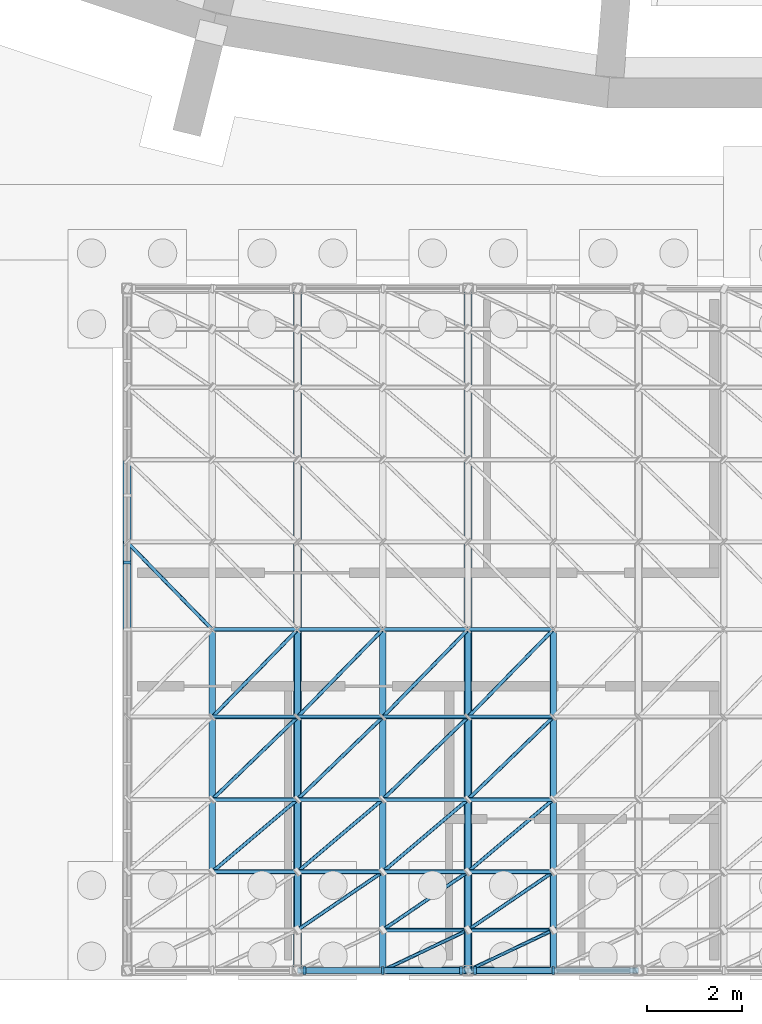
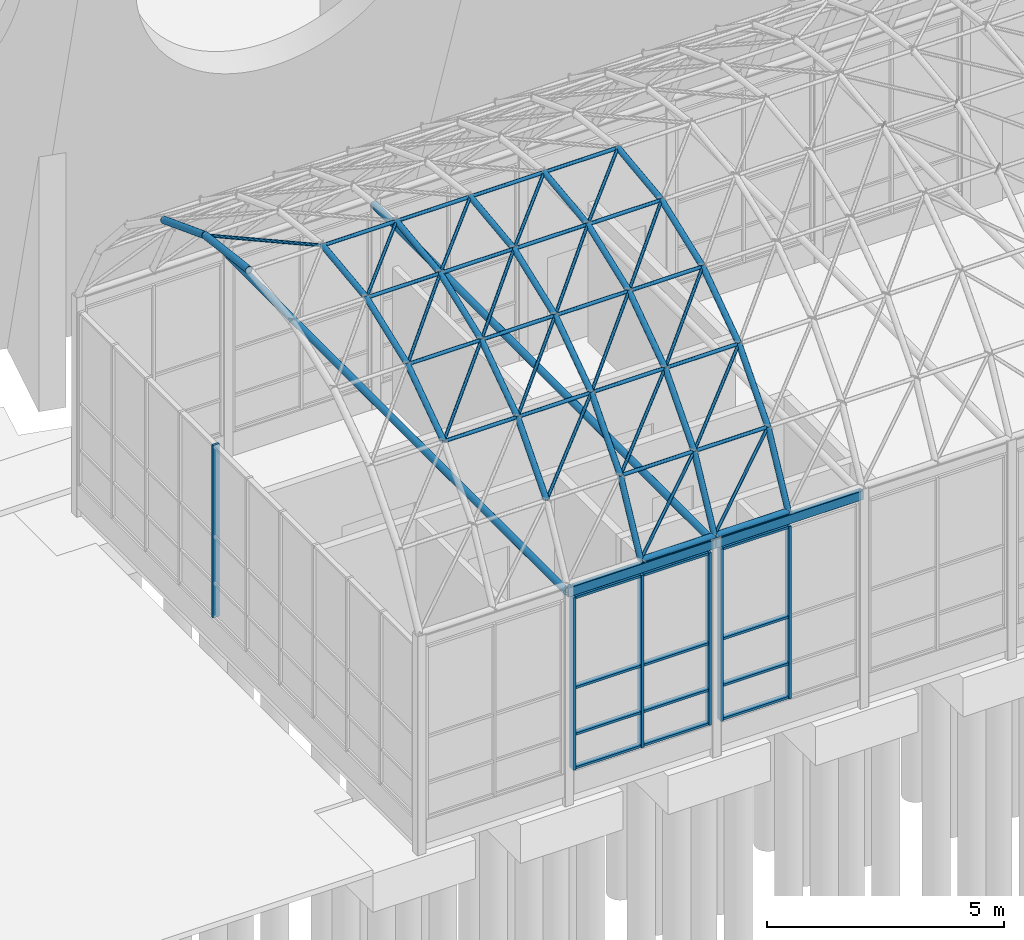
# One storey, part 25 of 116: 82 members, 2 beams, 3 elements without a shape of their own.
"""IFC4 building model written with IfcOpenShell, lengths in metres."""

import ifcopenshell
import ifcopenshell.guid

model = None  # the IFC model being written
_history = None  # IfcOwnerHistory: only IFC2X3 demands one
_inside = {}  # id of a spatial element -> (the spatial element, [elements in it])
_under = {}  # id of a project, library or spatial element -> (it, [spatial elements below it])
_declared = {}  # id of a project -> (the project, [libraries it declares])
_typed = {}  # id of a type object -> (the type object, [elements of that type])
_made_of = {}  # id of a material, layer set ... -> (it, [elements and type objects made of it])


def new_model(schema):
    """Start an empty IFC model of exactly this schema.

    Asked for "IFC4X3", IfcOpenShell would pick the latest addendum, in which some entities
    have other attributes; the version numbers below select the first issue.
    IFC2X3 requires an IfcOwnerHistory on every rooted entity: one is made here for all.
    """
    global model, _history
    if schema == "IFC4X3":
        model = ifcopenshell.file(schema_version=(4, 3, 0, 0))
    else:
        model = ifcopenshell.file(schema=schema)
    _inside.clear()
    _under.clear()
    _declared.clear()
    _typed.clear()
    _made_of.clear()
    _history = None
    if model.schema == "IFC2X3":
        org = make("IfcOrganization", Name="unknown")
        user = make(
            "IfcPersonAndOrganization",
            ThePerson=make("IfcPerson", FamilyName="unknown"),
            TheOrganization=org,
        )
        app = make(
            "IfcApplication",
            ApplicationDeveloper=org,
            Version="unknown",
            ApplicationFullName="unknown",
            ApplicationIdentifier="unknown",
        )
        _history = make(
            "IfcOwnerHistory",
            OwningUser=user,
            OwningApplication=app,
            ChangeAction="ADDED",
            CreationDate=0,
        )
    return model


def make(cls, **values):
    """One entity of the class cls with the attributes given. An attribute that is None is left unset."""
    return model.create_entity(
        cls, **{name: value for name, value in values.items() if value is not None}
    )


def rooted(cls, **values):
    """An entity with a GlobalId (a new one), such as an element, a storey or a relation."""
    return make(cls, GlobalId=ifcopenshell.guid.new(), OwnerHistory=_history, **values)


def si_unit(unit_type, name, prefix=None):
    """IfcSIUnit, for example si_unit("LENGTHUNIT", "METRE", prefix="MILLI")."""
    return make("IfcSIUnit", UnitType=unit_type, Prefix=prefix, Name=name)


def assignment(units):
    """IfcUnitAssignment: the units of a project."""
    return None if units is None else make("IfcUnitAssignment", Units=units)


def point(xyz):
    """IfcCartesianPoint."""
    return None if xyz is None else make("IfcCartesianPoint", Coordinates=xyz)


def direction(xyz):
    """IfcDirection."""
    return None if xyz is None else make("IfcDirection", DirectionRatios=xyz)


def frame(location, z_axis=None, x_axis=None):
    """IfcAxis2Placement3D, a coordinate frame: its origin and axes. An axis left out is left unset."""
    return make(
        "IfcAxis2Placement3D",
        Location=point(location),
        Axis=direction(z_axis),
        RefDirection=direction(x_axis),
    )


def frame_2d(location, x_axis=None):
    """IfcAxis2Placement2D, a coordinate frame in the plane: its origin and x axis."""
    return make(
        "IfcAxis2Placement2D", Location=point(location), RefDirection=direction(x_axis)
    )


def origin():
    """The frame at (0, 0, 0) with its axes left unset."""
    return frame((0.0, 0.0, 0.0))


def origin_2d():
    """The frame at (0, 0) in the plane with its x axis left unset."""
    return frame_2d((0.0, 0.0))


def place(relative_to, where):
    """IfcLocalPlacement: puts the frame where relative to a parent placement (None: the world)."""
    return make(
        "IfcLocalPlacement", PlacementRelTo=relative_to, RelativePlacement=where
    )


def context(
    kind, dimensions, precision=None, world=None, true_north=None, identifier=None
):
    """IfcGeometricRepresentationContext, for example the 3D "Model" context."""
    return make(
        "IfcGeometricRepresentationContext",
        ContextIdentifier=identifier,
        ContextType=kind,
        CoordinateSpaceDimension=dimensions,
        Precision=precision,
        WorldCoordinateSystem=world,
        TrueNorth=true_north,
    )


def subcontext(parent, identifier, kind, view, scale=None):
    """IfcGeometricRepresentationSubContext, for example "Body" below "Model"."""
    return make(
        "IfcGeometricRepresentationSubContext",
        ContextIdentifier=identifier,
        ContextType=kind,
        ParentContext=parent,
        TargetScale=scale,
        TargetView=view,
    )


def project(units=None, contexts=None):
    """IfcProject with its units and contexts."""
    return rooted(
        "IfcProject",
        Name="project",
        RepresentationContexts=contexts,
        UnitsInContext=assignment(units),
    )


def spatial(cls, under=None, at=None, **own):
    """A site, building, storey or space (cls), placed at a placement, below another one or the project."""
    s = rooted(cls, ObjectPlacement=at, **own)
    if under is not None:
        _under.setdefault(under.id(), (under, []))[1].append(s)
    return s


def profile(cls, at=None, kind="AREA", **sizes):
    """A parametric profile (cls). Its sizes go by their IFC names, for example OverallWidth=200.0."""
    return make(cls, ProfileType=kind, Position=at, **sizes)


def rectangle(**sizes):
    """IfcRectangleProfileDef."""
    return profile("IfcRectangleProfileDef", **sizes)


def hollow_rectangle(**sizes):
    """IfcRectangleHollowProfileDef."""
    return profile("IfcRectangleHollowProfileDef", **sizes)


def hollow_circle(**sizes):
    """IfcCircleHollowProfileDef."""
    return profile("IfcCircleHollowProfileDef", **sizes)


def extrude(swept, where, along, depth):
    """IfcExtrudedAreaSolid: the profile swept, set in the frame where, extruded along a direction by depth."""
    return make(
        "IfcExtrudedAreaSolid",
        SweptArea=swept,
        Position=where,
        ExtrudedDirection=direction(along),
        Depth=depth,
    )


def shape(context_of_items, identifier, shape_type, items):
    """IfcShapeRepresentation: the items that make up one representation, for example the "Body"."""
    return make(
        "IfcShapeRepresentation",
        ContextOfItems=context_of_items,
        RepresentationIdentifier=identifier,
        RepresentationType=shape_type,
        Items=items,
    )


def material(Name=None, Category=None):
    """IfcMaterial."""
    return make("IfcMaterial", Name=Name, Category=Category)


def layer(
    of_material, thickness, ventilated=None, Name=None, Category=None, Priority=None
):
    """IfcMaterialLayer: one layer of a wall or slab, of a material (None: an air gap)."""
    return make(
        "IfcMaterialLayer",
        Material=of_material,
        LayerThickness=thickness,
        IsVentilated=ventilated,
        Name=Name,
        Category=Category,
        Priority=Priority,
    )


def layer_set(layers, Name=None):
    """IfcMaterialLayerSet."""
    return make("IfcMaterialLayerSet", MaterialLayers=layers, LayerSetName=Name)


def material_profile(
    of_material, cross_section, Name=None, Category=None, Priority=None
):
    """IfcMaterialProfile: a cross section and its material."""
    return make(
        "IfcMaterialProfile",
        Name=Name,
        Material=of_material,
        Profile=cross_section,
        Priority=Priority,
        Category=Category,
    )


def profile_set(profiles, Name=None, composite=None):
    """IfcMaterialProfileSet."""
    return make(
        "IfcMaterialProfileSet",
        Name=Name,
        MaterialProfiles=profiles,
        CompositeProfile=composite,
    )


def made_of(thing, what):
    """Note that an element or type object is made of a material, layer set ...; save() writes the relation."""
    if what is not None:
        _made_of.setdefault(what.id(), (what, []))[1].append(thing)
    return thing


def type_object(cls, material=None, **own):
    """A type object (cls), such as IfcWallType, which elements share."""
    return made_of(rooted(cls, **own), material)


def element(
    cls,
    number,
    at=None,
    inside=None,
    cuts=None,
    type_object=None,
    material=None,
    context=None,
    identifier="Body",
    shape_type=None,
    held_by="IfcProductDefinitionShape",
    body=None,
    shapes=None,
    **own,
):
    """One element of the class cls, such as IfcWall. Its Tag is "e" and its number.

    at: its placement. inside: the storey or other place that contains it. cuts: it is an
    opening in that element (IfcRelVoidsElement). A single representation is given by context,
    identifier, shape_type and body (its items); several are given by shapes. held_by: the class
    of the entity that holds the representations. save() writes the other relations.
    """
    e = rooted(cls, Tag="e%d" % number, ObjectPlacement=at, **own)
    if body is not None:
        shapes = [shape(context, identifier, shape_type, body)]
    if shapes is not None:
        e.Representation = make(held_by, Representations=shapes)
    if inside is not None:
        _inside.setdefault(inside.id(), (inside, []))[1].append(e)
    if cuts is not None:
        rooted(
            "IfcRelVoidsElement", RelatingBuildingElement=cuts, RelatedOpeningElement=e
        )
    if type_object is not None:
        _typed.setdefault(type_object.id(), (type_object, []))[1].append(e)
    return made_of(e, material)


def aggregate(whole, parts):
    """IfcRelAggregates: a whole, such as a stair, and the parts it consists of."""
    return rooted("IfcRelAggregates", RelatingObject=whole, RelatedObjects=parts)


def save(model, path):
    """Write the relations noted so far, then the file.

    IfcRelAggregates (storeys below a building ...), IfcRelContainedInSpatialStructure (elements
    in a storey), IfcRelDefinesByType, IfcRelAssociatesMaterial and IfcRelDeclares: one each for
    every whole, place, type object, material and project.
    """
    for whole, parts in _under.values():
        aggregate(whole, parts)
    for where, things in _inside.values():
        rooted(
            "IfcRelContainedInSpatialStructure",
            RelatedElements=things,
            RelatingStructure=where,
        )
    for kind, things in _typed.values():
        rooted("IfcRelDefinesByType", RelatedObjects=things, RelatingType=kind)
    for what, things in _made_of.values():
        rooted("IfcRelAssociatesMaterial", RelatedObjects=things, RelatingMaterial=what)
    for by, libraries in _declared.values():
        rooted("IfcRelDeclares", RelatingContext=by, RelatedDefinitions=libraries)
    model.write(path)


model = new_model("IFC4")

# Units and contexts
model_context = context("Model", 3, precision=1e-05, world=origin(), true_north=direction((0.0, 1.0)))
body_context = subcontext(model_context, "Body", "Model", "MODEL_VIEW")
ifc_project = project(units=[si_unit("LENGTHUNIT", "METRE"), si_unit("AREAUNIT", "SQUARE_METRE"), si_unit("VOLUMEUNIT", "CUBIC_METRE"), si_unit("PLANEANGLEUNIT", "RADIAN"), si_unit("MASSUNIT", "GRAM", prefix="KILO")], contexts=[model_context])

# Site, building, storey
site_placement = place(None, origin())
site = spatial("IfcSite", under=ifc_project, at=site_placement, CompositionType="ELEMENT")
building_placement = place(site_placement, origin())
building = spatial("IfcBuilding", under=site, at=building_placement, Name="Ardhachandra Cancer Care Centre", CompositionType="ELEMENT")
storey_placement = place(building_placement, origin())
storey = spatial("IfcBuildingStorey", under=building, at=storey_placement, Name="L00", CompositionType="ELEMENT", Elevation=0.0)

# Beams
ifc_material_1 = material(Name="Steel E350 (IS 2062)", Category="steel")
ifc_material_profile_1 = material_profile(ifc_material_1, hollow_rectangle(XDim=0.1201171875, YDim=0.239990234375, WallThickness=0.006103515625, InnerFilletRadius=0.006103515625, OuterFilletRadius=0.011962890625, at=origin_2d()), Name="RHS 240x120x6.0")
ifc_profile_set_1 = profile_set([ifc_material_profile_1], Name="Steel E350 (IS 2062)")
beam_type = type_object("IfcBeamType", Name="Beam RHS 240x120x6.0", PredefinedType="BEAM", material=ifc_profile_set_1)
beam_1_placement = place(storey_placement, frame((67.199951171875, 7.199951171875, 5.210205078125), z_axis=(1.0, 0.0, 0.0), x_axis=(0.0, 1.0, 0.0)))
element("IfcBeam", 1, at=beam_1_placement, inside=storey, type_object=beam_type, Name="Pavilion edge beam S2-3", PredefinedType="BEAM", context=body_context, shape_type="SweptSolid", body=[
    extrude(hollow_rectangle(XDim=0.1201171875, YDim=0.239990234375, WallThickness=0.006103515625, InnerFilletRadius=0.006103515625, OuterFilletRadius=0.011962890625, at=origin_2d()), origin(), (0.0, 0.0, 1.0), 3.60009765625),
])
beam_2_placement = place(storey_placement, frame((70.800048828125, 7.199951171875, 5.210205078125), z_axis=(1.0, 0.0, 0.0), x_axis=(0.0, 1.0, 0.0)))
element("IfcBeam", 2, at=beam_2_placement, inside=storey, type_object=beam_type, Name="Pavilion edge beam S3-4", PredefinedType="BEAM", context=body_context, shape_type="SweptSolid", body=[
    extrude(hollow_rectangle(XDim=0.1201171875, YDim=0.239990234375, WallThickness=0.006103515625, InnerFilletRadius=0.006103515625, OuterFilletRadius=0.011962890625, at=origin_2d()), origin(), (0.0, 0.0, 1.0), 3.599853515625),
])

# Curtain wall, members
ifc_material_2 = material(Name="Aluminium extrusion", Category="aluminium")
ifc_layer = layer(ifc_material_2, 0.14990234375)
ifc_layer_set = layer_set([ifc_layer], Name="Aluminium extrusion")
curtain_wall_type = type_object("IfcCurtainWallType", Name="Curtain wall run", PredefinedType="NOTDEFINED", material=ifc_layer_set)
curtain_wall_1_placement = place(storey_placement, origin())
curtain_wall_1 = element("IfcCurtainWall", 3, at=curtain_wall_1_placement, inside=storey, type_object=curtain_wall_type, Name="Curtain wall L00 s/0067200_0007200", PredefinedType="NOTDEFINED")
ifc_material_3 = material(Name="Aluminium extrusion", Category="aluminium")
ifc_material_profile_2 = material_profile(ifc_material_3, rectangle(XDim=0.159912109375, YDim=0.06005859375, at=origin_2d()), Name="Curtain wall mullion 60 x 160")
ifc_profile_set_2 = profile_set([ifc_material_profile_2], Name="Aluminium extrusion")
member_type_1 = type_object("IfcMemberType", Name="Curtain wall mullion 60 x 160", PredefinedType="MULLION", material=ifc_profile_set_2)
member_1_placement = place(storey_placement, frame((67.344970703125, 7.199951171875, 0.60009765625), z_axis=(0.0, 0.0, 1.0), x_axis=(0.0, 1.0, 0.0)))
member_1 = element("IfcMember", 4, at=member_1_placement, type_object=member_type_1, Name="CW mullion 1", PredefinedType="MULLION", context=body_context, shape_type="SweptSolid", body=[
    extrude(rectangle(XDim=0.159912109375, YDim=0.06005859375, at=origin_2d()), origin(), (0.0, 0.0, 1.0), 4.449951171875),
])
member_2_placement = place(storey_placement, frame((69.0, 7.199951171875, 0.60009765625), z_axis=(0.0, 0.0, 1.0), x_axis=(0.0, 1.0, 0.0)))
member_2 = element("IfcMember", 5, at=member_2_placement, type_object=member_type_1, Name="CW mullion 2", PredefinedType="MULLION", context=body_context, shape_type="SweptSolid", body=[
    extrude(rectangle(XDim=0.159912109375, YDim=0.06005859375, at=origin_2d()), origin(), (0.0, 0.0, 1.0), 4.449951171875),
])
member_3_placement = place(storey_placement, frame((70.655029296875, 7.199951171875, 0.60009765625), z_axis=(0.0, 0.0, 1.0), x_axis=(0.0, 1.0, 0.0)))
member_3 = element("IfcMember", 6, at=member_3_placement, type_object=member_type_1, Name="CW mullion 3", PredefinedType="MULLION", context=body_context, shape_type="SweptSolid", body=[
    extrude(rectangle(XDim=0.159912109375, YDim=0.06005859375, at=origin_2d()), origin(), (0.0, 0.0, 1.0), 4.449951171875),
])

curtain_wall_2_placement = place(storey_placement, origin())
curtain_wall_2 = element("IfcCurtainWall", 7, at=curtain_wall_2_placement, inside=storey, type_object=curtain_wall_type, Name="Curtain wall L00 s/0070800_0007200", PredefinedType="NOTDEFINED")
member_4_placement = place(storey_placement, frame((70.945068359375, 7.199951171875, 0.60009765625), z_axis=(0.0, 0.0, 1.0), x_axis=(0.0, 1.0, 0.0)))
member_4 = element("IfcMember", 8, at=member_4_placement, type_object=member_type_1, Name="CW mullion 1", PredefinedType="MULLION", context=body_context, shape_type="SweptSolid", body=[
    extrude(rectangle(XDim=0.159912109375, YDim=0.06005859375, at=origin_2d()), origin(), (0.0, 0.0, 1.0), 4.449951171875),
])
member_5_placement = place(storey_placement, frame((72.60009765625, 7.199951171875, 0.60009765625), z_axis=(0.0, 0.0, 1.0), x_axis=(0.0, 1.0, 0.0)))
member_5 = element("IfcMember", 9, at=member_5_placement, type_object=member_type_1, Name="CW mullion 2", PredefinedType="MULLION", context=body_context, shape_type="SweptSolid", body=[
    extrude(rectangle(XDim=0.159912109375, YDim=0.06005859375, at=origin_2d()), origin(), (0.0, 0.0, 1.0), 4.449951171875),
])

# Curtain wall, member
curtain_wall_3_placement = place(storey_placement, origin())
curtain_wall_3 = element("IfcCurtainWall", 10, at=curtain_wall_3_placement, inside=storey, type_object=curtain_wall_type, Name="Curtain wall L00 w/0063600_0007200", PredefinedType="NOTDEFINED")
member_6_placement = place(storey_placement, frame((63.60009765625, 15.81689453125, 0.60009765625), z_axis=(0.0, 0.0, 1.0), x_axis=(-1.0, 0.0, 0.0)))
member_6 = element("IfcMember", 11, at=member_6_placement, type_object=member_type_1, Name="CW mullion 7", PredefinedType="MULLION", context=body_context, shape_type="SweptSolid", body=[
    extrude(rectangle(XDim=0.159912109375, YDim=0.06005859375, at=origin_2d()), origin(), (0.0, 0.0, 1.0), 4.449951171875),
])
aggregate(curtain_wall_3, [member_6])

# Member
ifc_material_4 = material(Name="Aluminium extrusion", Category="aluminium")
ifc_material_profile_3 = material_profile(ifc_material_4, rectangle(XDim=0.1201171875, YDim=0.06005859375, at=origin_2d()), Name="Curtain wall transom 60 x 120")
ifc_profile_set_3 = profile_set([ifc_material_profile_3], Name="Aluminium extrusion")
member_type_2 = type_object("IfcMemberType", Name="Curtain wall transom 60 x 120", PredefinedType="USERDEFINED", material=ifc_profile_set_3)
member_7_placement = place(storey_placement, frame((67.375, 7.199951171875, 0.6298828125), z_axis=(1.0, 0.0, 0.0), x_axis=(0.0, 1.0, 0.0)))
member_7 = element("IfcMember", 12, at=member_7_placement, type_object=member_type_2, Name="CW transom 1.1", ObjectType="TRANSOM", PredefinedType="USERDEFINED", context=body_context, shape_type="SweptSolid", body=[
    extrude(rectangle(XDim=0.1201171875, YDim=0.06005859375, at=origin_2d()), origin(), (0.0, 0.0, 1.0), 1.594970703125),
])

member_8_placement = place(storey_placement, frame((67.375, 7.199951171875, 1.5), z_axis=(1.0, 0.0, 0.0), x_axis=(0.0, 1.0, 0.0)))
member_8 = element("IfcMember", 13, at=member_8_placement, type_object=member_type_2, Name="CW transom 1.2", ObjectType="TRANSOM", PredefinedType="USERDEFINED", context=body_context, shape_type="SweptSolid", body=[
    extrude(rectangle(XDim=0.1201171875, YDim=0.06005859375, at=origin_2d()), origin(), (0.0, 0.0, 1.0), 1.594970703125),
])

member_9_placement = place(storey_placement, frame((67.375, 7.199951171875, 2.699951171875), z_axis=(1.0, 0.0, 0.0), x_axis=(0.0, 1.0, 0.0)))
member_9 = element("IfcMember", 14, at=member_9_placement, type_object=member_type_2, Name="CW transom 1.3", ObjectType="TRANSOM", PredefinedType="USERDEFINED", context=body_context, shape_type="SweptSolid", body=[
    extrude(rectangle(XDim=0.1201171875, YDim=0.06005859375, at=origin_2d()), origin(), (0.0, 0.0, 1.0), 1.594970703125),
])

member_10_placement = place(storey_placement, frame((67.375, 7.199951171875, 5.02001953125), z_axis=(1.0, 0.0, 0.0), x_axis=(0.0, 1.0, 0.0)))
member_10 = element("IfcMember", 15, at=member_10_placement, type_object=member_type_2, Name="CW transom 1.4", ObjectType="TRANSOM", PredefinedType="USERDEFINED", context=body_context, shape_type="SweptSolid", body=[
    extrude(rectangle(XDim=0.1201171875, YDim=0.06005859375, at=origin_2d()), origin(), (0.0, 0.0, 1.0), 1.594970703125),
])

member_11_placement = place(storey_placement, frame((69.030029296875, 7.199951171875, 0.6298828125), z_axis=(1.0, 0.0, 0.0), x_axis=(0.0, 1.0, 0.0)))
member_11 = element("IfcMember", 16, at=member_11_placement, type_object=member_type_2, Name="CW transom 2.1", ObjectType="TRANSOM", PredefinedType="USERDEFINED", context=body_context, shape_type="SweptSolid", body=[
    extrude(rectangle(XDim=0.1201171875, YDim=0.06005859375, at=origin_2d()), origin(), (0.0, 0.0, 1.0), 1.594970703125),
])

member_12_placement = place(storey_placement, frame((69.030029296875, 7.199951171875, 1.5), z_axis=(1.0, 0.0, 0.0), x_axis=(0.0, 1.0, 0.0)))
member_12 = element("IfcMember", 17, at=member_12_placement, type_object=member_type_2, Name="CW transom 2.2", ObjectType="TRANSOM", PredefinedType="USERDEFINED", context=body_context, shape_type="SweptSolid", body=[
    extrude(rectangle(XDim=0.1201171875, YDim=0.06005859375, at=origin_2d()), origin(), (0.0, 0.0, 1.0), 1.594970703125),
])

member_13_placement = place(storey_placement, frame((69.030029296875, 7.199951171875, 2.699951171875), z_axis=(1.0, 0.0, 0.0), x_axis=(0.0, 1.0, 0.0)))
member_13 = element("IfcMember", 18, at=member_13_placement, type_object=member_type_2, Name="CW transom 2.3", ObjectType="TRANSOM", PredefinedType="USERDEFINED", context=body_context, shape_type="SweptSolid", body=[
    extrude(rectangle(XDim=0.1201171875, YDim=0.06005859375, at=origin_2d()), origin(), (0.0, 0.0, 1.0), 1.594970703125),
])

member_14_placement = place(storey_placement, frame((69.030029296875, 7.199951171875, 5.02001953125), z_axis=(1.0, 0.0, 0.0), x_axis=(0.0, 1.0, 0.0)))
member_14 = element("IfcMember", 19, at=member_14_placement, type_object=member_type_2, Name="CW transom 2.4", ObjectType="TRANSOM", PredefinedType="USERDEFINED", context=body_context, shape_type="SweptSolid", body=[
    extrude(rectangle(XDim=0.1201171875, YDim=0.06005859375, at=origin_2d()), origin(), (0.0, 0.0, 1.0), 1.594970703125),
])

aggregate(curtain_wall_1, [member_1, member_2, member_3, member_7, member_8, member_9, member_10, member_11, member_12, member_13, member_14])

member_15_placement = place(storey_placement, frame((70.97509765625, 7.199951171875, 0.6298828125), z_axis=(1.0, 0.0, 0.0), x_axis=(0.0, 1.0, 0.0)))
member_15 = element("IfcMember", 20, at=member_15_placement, type_object=member_type_2, Name="CW transom 1.1", ObjectType="TRANSOM", PredefinedType="USERDEFINED", context=body_context, shape_type="SweptSolid", body=[
    extrude(rectangle(XDim=0.1201171875, YDim=0.06005859375, at=origin_2d()), origin(), (0.0, 0.0, 1.0), 1.594970703125),
])

member_16_placement = place(storey_placement, frame((70.97509765625, 7.199951171875, 1.5), z_axis=(1.0, 0.0, 0.0), x_axis=(0.0, 1.0, 0.0)))
member_16 = element("IfcMember", 21, at=member_16_placement, type_object=member_type_2, Name="CW transom 1.2", ObjectType="TRANSOM", PredefinedType="USERDEFINED", context=body_context, shape_type="SweptSolid", body=[
    extrude(rectangle(XDim=0.1201171875, YDim=0.06005859375, at=origin_2d()), origin(), (0.0, 0.0, 1.0), 1.594970703125),
])

member_17_placement = place(storey_placement, frame((70.97509765625, 7.199951171875, 2.699951171875), z_axis=(1.0, 0.0, 0.0), x_axis=(0.0, 1.0, 0.0)))
member_17 = element("IfcMember", 22, at=member_17_placement, type_object=member_type_2, Name="CW transom 1.3", ObjectType="TRANSOM", PredefinedType="USERDEFINED", context=body_context, shape_type="SweptSolid", body=[
    extrude(rectangle(XDim=0.1201171875, YDim=0.06005859375, at=origin_2d()), origin(), (0.0, 0.0, 1.0), 1.594970703125),
])

member_18_placement = place(storey_placement, frame((70.97509765625, 7.199951171875, 5.02001953125), z_axis=(1.0, 0.0, 0.0), x_axis=(0.0, 1.0, 0.0)))
member_18 = element("IfcMember", 23, at=member_18_placement, type_object=member_type_2, Name="CW transom 1.4", ObjectType="TRANSOM", PredefinedType="USERDEFINED", context=body_context, shape_type="SweptSolid", body=[
    extrude(rectangle(XDim=0.1201171875, YDim=0.06005859375, at=origin_2d()), origin(), (0.0, 0.0, 1.0), 1.594970703125),
])

aggregate(curtain_wall_2, [member_4, member_5, member_15, member_16, member_17, member_18])

# Members
ifc_material_5 = material(Name="Steel E350 (IS 2062)", Category="steel")
ifc_material_profile_4 = material_profile(ifc_material_5, hollow_circle(Radius=0.0380859375, WallThickness=0.00390625, at=origin_2d()), Name="CHS 76.1x4.0")
ifc_profile_set_4 = profile_set([ifc_material_profile_4], Name="Steel E350 (IS 2062)")
member_type_3 = type_object("IfcMemberType", Name="Pavilion shell Diagonal CHS 76.1x4.0", PredefinedType="BRACE", material=ifc_profile_set_4)
member_19_placement = place(storey_placement, frame((65.39990234375, 14.39990234375, 10.39990234375), z_axis=(-0.695169214351, 0.713557439636, -0.087037599681), x_axis=(-0.716275686375, -0.697817412443, 0.0)))
element("IfcMember", 24, at=member_19_placement, inside=storey, type_object=member_type_3, Name="Pavilion shell diagonal 01-05", PredefinedType="BRACE", context=body_context, shape_type="SweptSolid", body=[
    extrude(hollow_circle(Radius=0.0380859375, WallThickness=0.00390625, at=origin_2d()), origin(), (0.0, 0.0, 1.0), 2.589111328125),
])
member_20_placement = place(storey_placement, frame((65.39990234375, 9.284912109375, 8.4501953125), z_axis=(0.695198374646, 0.590442455179, 0.409971861245), x_axis=(-0.647345290396, 0.762196874175, 0.0)))
element("IfcMember", 25, at=member_20_placement, inside=storey, type_object=member_type_3, Name="Pavilion shell diagonal 01-02", PredefinedType="BRACE", context=body_context, shape_type="SweptSolid", body=[
    extrude(hollow_circle(Radius=0.0380859375, WallThickness=0.00390625, at=origin_2d()), origin(), (0.0, 0.0, 1.0), 2.58935546875),
])
for number, where, z_axis, x_axis, name in (
    (26, (65.39990234375, 10.813720703125, 9.51171875), (0.69522740722, 0.671653983674, 0.25600737971), (-0.694808600346, 0.7191946947, 0.0), "Pavilion shell diagonal 01-03"),
    (27, (65.39990234375, 12.552734375, 10.174560546875), (0.695264712339, 0.713464371837, 0.087037749829), (-0.716182273472, 0.697913283413, 0.0), "Pavilion shell diagonal 01-04"),
    (28, (67.199951171875, 8.056396484375, 7.05224609375), (0.695228192268, 0.474486404923, 0.539926302581), (-0.563715663494, 0.825968916323, 0.0), "Pavilion shell diagonal 02-01"),
):
    element("IfcMember", number, at=place(storey_placement, frame(where, z_axis=z_axis, x_axis=x_axis)), inside=storey, type_object=member_type_3, Name=name, PredefinedType="BRACE", context=body_context, shape_type="SweptSolid", body=[
        extrude(hollow_circle(Radius=0.0380859375, WallThickness=0.00390625, at=origin_2d()), origin(), (0.0, 0.0, 1.0), 2.589111328125),
    ])
member_21_placement = place(storey_placement, frame((67.199951171875, 9.284912109375, 8.4501953125), z_axis=(0.695198374646, 0.590442455179, 0.409971861245), x_axis=(-0.647345290396, 0.762196874175, 0.0)))
element("IfcMember", 29, at=member_21_placement, inside=storey, type_object=member_type_3, Name="Pavilion shell diagonal 02-02", PredefinedType="BRACE", context=body_context, shape_type="SweptSolid", body=[
    extrude(hollow_circle(Radius=0.0380859375, WallThickness=0.00390625, at=origin_2d()), origin(), (0.0, 0.0, 1.0), 2.58935546875),
])
for number, where, z_axis, x_axis, name in (
    (30, (67.199951171875, 10.813720703125, 9.51171875), (0.69522740722, 0.671653983674, 0.25600737971), (-0.694808600346, 0.7191946947, 0.0), "Pavilion shell diagonal 02-03"),
    (31, (67.199951171875, 12.552734375, 10.174560546875), (0.695264712339, 0.713464371837, 0.087037749829), (-0.716182273472, 0.697913283413, 0.0), "Pavilion shell diagonal 02-04"),
    (32, (69.0, 7.199951171875, 5.39990234375), (0.695216484809, 0.330777082424, 0.638169696079), (-0.429638804888, 0.903000829088, 0.0), "Pavilion shell diagonal 03-00"),
    (33, (69.0, 8.056396484375, 7.05224609375), (0.695228192268, 0.474486404923, 0.539926302581), (-0.563715663494, 0.825968916323, 0.0), "Pavilion shell diagonal 03-01"),
):
    element("IfcMember", number, at=place(storey_placement, frame(where, z_axis=z_axis, x_axis=x_axis)), inside=storey, type_object=member_type_3, Name=name, PredefinedType="BRACE", context=body_context, shape_type="SweptSolid", body=[
        extrude(hollow_circle(Radius=0.0380859375, WallThickness=0.00390625, at=origin_2d()), origin(), (0.0, 0.0, 1.0), 2.589111328125),
    ])
member_22_placement = place(storey_placement, frame((69.0, 9.284912109375, 8.4501953125), z_axis=(0.695198374646, 0.590442455179, 0.409971861245), x_axis=(-0.647345290396, 0.762196874175, 0.0)))
element("IfcMember", 34, at=member_22_placement, inside=storey, type_object=member_type_3, Name="Pavilion shell diagonal 03-02", PredefinedType="BRACE", context=body_context, shape_type="SweptSolid", body=[
    extrude(hollow_circle(Radius=0.0380859375, WallThickness=0.00390625, at=origin_2d()), origin(), (0.0, 0.0, 1.0), 2.58935546875),
])
for number, where, z_axis, x_axis, name in (
    (35, (69.0, 10.813720703125, 9.51171875), (0.69522740722, 0.671653983674, 0.25600737971), (-0.694808600346, 0.7191946947, 0.0), "Pavilion shell diagonal 03-03"),
    (36, (69.0, 12.552734375, 10.174560546875), (0.695264712339, 0.713464371837, 0.087037749829), (-0.716182273472, 0.697913283413, 0.0), "Pavilion shell diagonal 03-04"),
    (37, (70.800048828125, 7.199951171875, 5.39990234375), (0.695216484809, 0.330777082424, 0.638169696079), (-0.429638804888, 0.903000829088, 0.0), "Pavilion shell diagonal 04-00"),
    (38, (70.800048828125, 8.056396484375, 7.05224609375), (0.695228192268, 0.474486404923, 0.539926302581), (-0.563715663494, 0.825968916323, 0.0), "Pavilion shell diagonal 04-01"),
):
    element("IfcMember", number, at=place(storey_placement, frame(where, z_axis=z_axis, x_axis=x_axis)), inside=storey, type_object=member_type_3, Name=name, PredefinedType="BRACE", context=body_context, shape_type="SweptSolid", body=[
        extrude(hollow_circle(Radius=0.0380859375, WallThickness=0.00390625, at=origin_2d()), origin(), (0.0, 0.0, 1.0), 2.589111328125),
    ])
member_23_placement = place(storey_placement, frame((70.800048828125, 9.284912109375, 8.4501953125), z_axis=(0.695198374646, 0.590442455179, 0.409971861245), x_axis=(-0.647345290396, 0.762196874175, 0.0)))
element("IfcMember", 39, at=member_23_placement, inside=storey, type_object=member_type_3, Name="Pavilion shell diagonal 04-02", PredefinedType="BRACE", context=body_context, shape_type="SweptSolid", body=[
    extrude(hollow_circle(Radius=0.0380859375, WallThickness=0.00390625, at=origin_2d()), origin(), (0.0, 0.0, 1.0), 2.58935546875),
])
for number, where, z_axis, x_axis, name in (
    (40, (70.800048828125, 10.813720703125, 9.51171875), (0.69522740722, 0.671653983674, 0.25600737971), (-0.694808600346, 0.7191946947, 0.0), "Pavilion shell diagonal 04-03"),
    (41, (70.800048828125, 12.552734375, 10.174560546875), (0.695264712339, 0.713464371837, 0.087037749829), (-0.716182273472, 0.697913283413, 0.0), "Pavilion shell diagonal 04-04"),
):
    element("IfcMember", number, at=place(storey_placement, frame(where, z_axis=z_axis, x_axis=x_axis)), inside=storey, type_object=member_type_3, Name=name, PredefinedType="BRACE", context=body_context, shape_type="SweptSolid", body=[
        extrude(hollow_circle(Radius=0.0380859375, WallThickness=0.00390625, at=origin_2d()), origin(), (0.0, 0.0, 1.0), 2.589111328125),
    ])
ifc_material_6 = material(Name="Steel E350 (IS 2062)", Category="steel")
ifc_material_profile_5 = material_profile(ifc_material_6, hollow_circle(Radius=0.06982421875, WallThickness=0.0048828125, at=origin_2d()), Name="CHS 139.7x5.0")
ifc_profile_set_5 = profile_set([ifc_material_profile_5], Name="Steel E350 (IS 2062)")
member_type_4 = type_object("IfcMemberType", Name="Pavilion shell Purlin CHS 139.7x5.0", PredefinedType="PURLIN", material=ifc_profile_set_5)
for number, where, z_axis, x_axis, name in (
    (42, (69.0, 7.199951171875, 5.39990234375), (1.0, 0.0, 0.0), (0.0, 1.0, 0.0), "Pavilion shell purlin 03-00"),
    (43, (70.800048828125, 7.199951171875, 5.39990234375), (1.0, 0.0, 0.0), (0.0, 1.0, 0.0), "Pavilion shell purlin 04-00"),
):
    element("IfcMember", number, at=place(storey_placement, frame(where, z_axis=z_axis, x_axis=x_axis)), inside=storey, type_object=member_type_4, Name=name, PredefinedType="PURLIN", context=body_context, shape_type="SweptSolid", body=[
        extrude(hollow_circle(Radius=0.06982421875, WallThickness=0.0048828125, at=origin_2d()), origin(), (0.0, 0.0, 1.0), 1.800048828125),
    ])
ifc_material_7 = material(Name="Steel E350 (IS 2062)", Category="steel")
ifc_material_profile_6 = material_profile(ifc_material_7, hollow_circle(Radius=0.04443359375, WallThickness=0.00390625, at=origin_2d()), Name="CHS 88.9x4.0")
ifc_profile_set_6 = profile_set([ifc_material_profile_6], Name="Steel E350 (IS 2062)")
member_type_5 = type_object("IfcMemberType", Name="Pavilion shell Purlin CHS 88.9x4.0", PredefinedType="PURLIN", material=ifc_profile_set_6)
for number, where, z_axis, x_axis, name in (
    (44, (69.0, 8.056396484375, 7.05224609375), (1.0, 0.0, 0.0), (0.0, 1.0, 0.0), "Pavilion shell purlin 03-01"),
    (45, (70.800048828125, 8.056396484375, 7.05224609375), (1.0, 0.0, 0.0), (0.0, 1.0, 0.0), "Pavilion shell purlin 04-01"),
    (46, (65.39990234375, 9.284912109375, 8.4501953125), (1.0, 0.0, 0.0), (0.0, 1.0, 0.0), "Pavilion shell purlin 01-02"),
    (47, (67.199951171875, 9.284912109375, 8.4501953125), (1.0, 0.0, 0.0), (0.0, 1.0, 0.0), "Pavilion shell purlin 02-02"),
    (48, (69.0, 9.284912109375, 8.4501953125), (1.0, 0.0, 0.0), (0.0, 1.0, 0.0), "Pavilion shell purlin 03-02"),
    (49, (70.800048828125, 9.284912109375, 8.4501953125), (1.0, 0.0, 0.0), (0.0, 1.0, 0.0), "Pavilion shell purlin 04-02"),
    (50, (65.39990234375, 10.813720703125, 9.51171875), (1.0, 0.0, 0.0), (0.0, 1.0, 0.0), "Pavilion shell purlin 01-03"),
    (51, (67.199951171875, 10.813720703125, 9.51171875), (1.0, 0.0, 0.0), (0.0, 1.0, 0.0), "Pavilion shell purlin 02-03"),
    (52, (69.0, 10.813720703125, 9.51171875), (1.0, 0.0, 0.0), (0.0, 1.0, 0.0), "Pavilion shell purlin 03-03"),
    (53, (70.800048828125, 10.813720703125, 9.51171875), (1.0, 0.0, 0.0), (0.0, 1.0, 0.0), "Pavilion shell purlin 04-03"),
    (54, (65.39990234375, 12.552734375, 10.174560546875), (1.0, 0.0, 0.0), (0.0, 1.0, 0.0), "Pavilion shell purlin 01-04"),
    (55, (67.199951171875, 12.552734375, 10.174560546875), (1.0, 0.0, 0.0), (0.0, 1.0, 0.0), "Pavilion shell purlin 02-04"),
    (56, (69.0, 12.552734375, 10.174560546875), (1.0, 0.0, 0.0), (0.0, 1.0, 0.0), "Pavilion shell purlin 03-04"),
    (57, (70.800048828125, 12.552734375, 10.174560546875), (1.0, 0.0, 0.0), (0.0, 1.0, 0.0), "Pavilion shell purlin 04-04"),
    (58, (65.39990234375, 14.39990234375, 10.39990234375), (1.0, 0.0, 0.0), (0.0, 1.0, 0.0), "Pavilion shell purlin 01-05"),
    (59, (67.199951171875, 14.39990234375, 10.39990234375), (1.0, 0.0, 0.0), (0.0, 1.0, 0.0), "Pavilion shell purlin 02-05"),
    (60, (69.0, 14.39990234375, 10.39990234375), (1.0, 0.0, 0.0), (0.0, 1.0, 0.0), "Pavilion shell purlin 03-05"),
    (61, (70.800048828125, 14.39990234375, 10.39990234375), (1.0, 0.0, 0.0), (0.0, 1.0, 0.0), "Pavilion shell purlin 04-05"),
):
    element("IfcMember", number, at=place(storey_placement, frame(where, z_axis=z_axis, x_axis=x_axis)), inside=storey, type_object=member_type_5, Name=name, PredefinedType="PURLIN", context=body_context, shape_type="SweptSolid", body=[
        extrude(hollow_circle(Radius=0.04443359375, WallThickness=0.00390625, at=origin_2d()), origin(), (0.0, 0.0, 1.0), 1.800048828125),
    ])
ifc_material_8 = material(Name="Steel E350 (IS 2062)", Category="steel")
ifc_material_profile_7 = material_profile(ifc_material_8, hollow_circle(Radius=0.06982421875, WallThickness=0.0048828125, at=origin_2d()), Name="CHS 139.7x5.0")
ifc_profile_set_7 = profile_set([ifc_material_profile_7], Name="Steel E350 (IS 2062)")
member_type_6 = type_object("IfcMemberType", Name="Pavilion shell Rib CHS 139.7x5.0", PredefinedType="RAFTER", material=ifc_profile_set_7)
for number, where, z_axis, x_axis, name in (
    (62, (65.39990234375, 9.284912109375, 8.4501953125), (0.0, 0.821407520032, 0.570341727419), (-1.0, 0.0, 0.0), "Pavilion shell rib 01-02"),
    (63, (65.39990234375, 10.813720703125, 9.51171875), (0.0, 0.934423296617, 0.356164432165), (-1.0, 0.0, 0.0), "Pavilion shell rib 01-03"),
):
    element("IfcMember", number, at=place(storey_placement, frame(where, z_axis=z_axis, x_axis=x_axis)), inside=storey, type_object=member_type_6, Name=name, PredefinedType="RAFTER", context=body_context, shape_type="SweptSolid", body=[
        extrude(hollow_circle(Radius=0.06982421875, WallThickness=0.0048828125, at=origin_2d()), origin(), (0.0, 0.0, 1.0), 1.861083984375),
    ])
member_24_placement = place(storey_placement, frame((65.39990234375, 12.552734375, 10.174560546875), z_axis=(0.0, 0.992640877969, 0.121095364838), x_axis=(-1.0, 0.0, 0.0)))
element("IfcMember", 64, at=member_24_placement, inside=storey, type_object=member_type_6, Name="Pavilion shell rib 01-04", PredefinedType="RAFTER", context=body_context, shape_type="SweptSolid", body=[
    extrude(hollow_circle(Radius=0.06982421875, WallThickness=0.0048828125, at=origin_2d()), origin(), (0.0, 0.0, 1.0), 1.86083984375),
])
for number, where, z_axis, x_axis, name in (
    (65, (67.199951171875, 8.056396484375, 7.05224609375), (0.0, 0.66011909381, 0.751160956112), (-1.0, 0.0, 0.0), "Pavilion shell rib 02-01"),
    (66, (67.199951171875, 9.284912109375, 8.4501953125), (0.0, 0.821407520032, 0.570341727419), (-1.0, 0.0, 0.0), "Pavilion shell rib 02-02"),
    (67, (67.199951171875, 10.813720703125, 9.51171875), (0.0, 0.934423296617, 0.356164432165), (-1.0, 0.0, 0.0), "Pavilion shell rib 02-03"),
):
    element("IfcMember", number, at=place(storey_placement, frame(where, z_axis=z_axis, x_axis=x_axis)), inside=storey, type_object=member_type_6, Name=name, PredefinedType="RAFTER", context=body_context, shape_type="SweptSolid", body=[
        extrude(hollow_circle(Radius=0.06982421875, WallThickness=0.0048828125, at=origin_2d()), origin(), (0.0, 0.0, 1.0), 1.861083984375),
    ])
member_25_placement = place(storey_placement, frame((67.199951171875, 12.552734375, 10.174560546875), z_axis=(0.0, 0.992640877969, 0.121095364838), x_axis=(-1.0, 0.0, 0.0)))
element("IfcMember", 68, at=member_25_placement, inside=storey, type_object=member_type_6, Name="Pavilion shell rib 02-04", PredefinedType="RAFTER", context=body_context, shape_type="SweptSolid", body=[
    extrude(hollow_circle(Radius=0.06982421875, WallThickness=0.0048828125, at=origin_2d()), origin(), (0.0, 0.0, 1.0), 1.86083984375),
])
for number, where, z_axis, x_axis, name in (
    (69, (69.0, 7.199951171875, 5.39990234375), (0.0, 0.460179313582, 0.8878259961), (-1.0, 0.0, 0.0), "Pavilion shell rib 03-00"),
    (70, (69.0, 8.056396484375, 7.05224609375), (0.0, 0.66011909381, 0.751160956112), (-1.0, 0.0, 0.0), "Pavilion shell rib 03-01"),
    (71, (69.0, 9.284912109375, 8.4501953125), (0.0, 0.821407520032, 0.570341727419), (-1.0, 0.0, 0.0), "Pavilion shell rib 03-02"),
    (72, (69.0, 10.813720703125, 9.51171875), (0.0, 0.934423296617, 0.356164432165), (-1.0, 0.0, 0.0), "Pavilion shell rib 03-03"),
):
    element("IfcMember", number, at=place(storey_placement, frame(where, z_axis=z_axis, x_axis=x_axis)), inside=storey, type_object=member_type_6, Name=name, PredefinedType="RAFTER", context=body_context, shape_type="SweptSolid", body=[
        extrude(hollow_circle(Radius=0.06982421875, WallThickness=0.0048828125, at=origin_2d()), origin(), (0.0, 0.0, 1.0), 1.861083984375),
    ])
member_26_placement = place(storey_placement, frame((69.0, 12.552734375, 10.174560546875), z_axis=(0.0, 0.992640877969, 0.121095364838), x_axis=(-1.0, 0.0, 0.0)))
element("IfcMember", 73, at=member_26_placement, inside=storey, type_object=member_type_6, Name="Pavilion shell rib 03-04", PredefinedType="RAFTER", context=body_context, shape_type="SweptSolid", body=[
    extrude(hollow_circle(Radius=0.06982421875, WallThickness=0.0048828125, at=origin_2d()), origin(), (0.0, 0.0, 1.0), 1.86083984375),
])
for number, where, z_axis, x_axis, name in (
    (74, (70.800048828125, 7.199951171875, 5.39990234375), (0.0, 0.460179313582, 0.8878259961), (-1.0, 0.0, 0.0), "Pavilion shell rib 04-00"),
    (75, (70.800048828125, 8.056396484375, 7.05224609375), (0.0, 0.66011909381, 0.751160956112), (-1.0, 0.0, 0.0), "Pavilion shell rib 04-01"),
    (76, (70.800048828125, 9.284912109375, 8.4501953125), (0.0, 0.821407520032, 0.570341727419), (-1.0, 0.0, 0.0), "Pavilion shell rib 04-02"),
    (77, (70.800048828125, 10.813720703125, 9.51171875), (0.0, 0.934423296617, 0.356164432165), (-1.0, 0.0, 0.0), "Pavilion shell rib 04-03"),
):
    element("IfcMember", number, at=place(storey_placement, frame(where, z_axis=z_axis, x_axis=x_axis)), inside=storey, type_object=member_type_6, Name=name, PredefinedType="RAFTER", context=body_context, shape_type="SweptSolid", body=[
        extrude(hollow_circle(Radius=0.06982421875, WallThickness=0.0048828125, at=origin_2d()), origin(), (0.0, 0.0, 1.0), 1.861083984375),
    ])
member_27_placement = place(storey_placement, frame((70.800048828125, 12.552734375, 10.174560546875), z_axis=(0.0, 0.992640877969, 0.121095364838), x_axis=(-1.0, 0.0, 0.0)))
element("IfcMember", 78, at=member_27_placement, inside=storey, type_object=member_type_6, Name="Pavilion shell rib 04-04", PredefinedType="RAFTER", context=body_context, shape_type="SweptSolid", body=[
    extrude(hollow_circle(Radius=0.06982421875, WallThickness=0.0048828125, at=origin_2d()), origin(), (0.0, 0.0, 1.0), 1.86083984375),
])
for number, where, z_axis, x_axis, name in (
    (79, (72.60009765625, 7.199951171875, 5.39990234375), (0.0, 0.460179313582, 0.8878259961), (-1.0, 0.0, 0.0), "Pavilion shell rib 05-00"),
    (80, (72.60009765625, 8.056396484375, 7.05224609375), (0.0, 0.66011909381, 0.751160956112), (-1.0, 0.0, 0.0), "Pavilion shell rib 05-01"),
    (81, (72.60009765625, 9.284912109375, 8.4501953125), (0.0, 0.821407520032, 0.570341727419), (-1.0, 0.0, 0.0), "Pavilion shell rib 05-02"),
    (82, (72.60009765625, 10.813720703125, 9.51171875), (0.0, 0.934423296617, 0.356164432165), (-1.0, 0.0, 0.0), "Pavilion shell rib 05-03"),
):
    element("IfcMember", number, at=place(storey_placement, frame(where, z_axis=z_axis, x_axis=x_axis)), inside=storey, type_object=member_type_6, Name=name, PredefinedType="RAFTER", context=body_context, shape_type="SweptSolid", body=[
        extrude(hollow_circle(Radius=0.06982421875, WallThickness=0.0048828125, at=origin_2d()), origin(), (0.0, 0.0, 1.0), 1.861083984375),
    ])
member_28_placement = place(storey_placement, frame((72.60009765625, 12.552734375, 10.174560546875), z_axis=(0.0, 0.992640877969, 0.121095364838), x_axis=(-1.0, 0.0, 0.0)))
element("IfcMember", 83, at=member_28_placement, inside=storey, type_object=member_type_6, Name="Pavilion shell rib 05-04", PredefinedType="RAFTER", context=body_context, shape_type="SweptSolid", body=[
    extrude(hollow_circle(Radius=0.06982421875, WallThickness=0.0048828125, at=origin_2d()), origin(), (0.0, 0.0, 1.0), 1.86083984375),
])
ifc_material_9 = material(Name="Steel E350 (IS 2062)", Category="steel")
ifc_material_profile_8 = material_profile(ifc_material_9, hollow_circle(Radius=0.084228515625, WallThickness=0.00634765625, at=origin_2d()), Name="CHS 168.3x6.3")
ifc_profile_set_8 = profile_set([ifc_material_profile_8], Name="Steel E350 (IS 2062)")
member_type_7 = type_object("IfcMemberType", Name="Pavilion shell Rib CHS 168.3x6.3", PredefinedType="RAFTER", material=ifc_profile_set_8)
for number, where, z_axis, x_axis, name in (
    (84, (63.60009765625, 14.39990234375, 10.39990234375), (0.0, 0.992642801486, -0.121079596375), (-1.0, 0.0, 0.0), "Pavilion shell rib 00-05"),
    (85, (63.60009765625, 16.247314453125, 10.174560546875), (0.0, 0.934423296617, -0.356164432165), (-1.0, 0.0, 0.0), "Pavilion shell rib 00-06"),
):
    element("IfcMember", number, at=place(storey_placement, frame(where, z_axis=z_axis, x_axis=x_axis)), inside=storey, type_object=member_type_7, Name=name, PredefinedType="RAFTER", context=body_context, shape_type="SweptSolid", body=[
        extrude(hollow_circle(Radius=0.084228515625, WallThickness=0.00634765625, at=origin_2d()), origin(), (0.0, 0.0, 1.0), 1.861083984375),
    ])
ifc_material_10 = material(Name="Steel E350 (IS 2062)", Category="steel")
ifc_material_profile_9 = material_profile(ifc_material_10, hollow_circle(Radius=0.084228515625, WallThickness=0.00634765625, at=origin_2d()), Name="CHS 168.3x6.3")
ifc_profile_set_9 = profile_set([ifc_material_profile_9], Name="Steel E350 (IS 2062)")
member_type_8 = type_object("IfcMemberType", Name="Pavilion tie CHS 168.3x6.3", PredefinedType="MEMBER", material=ifc_profile_set_9)
for number, where, z_axis, x_axis, name in (
    (86, (67.199951171875, 7.199951171875, 5.210205078125), (0.0, 1.0, 0.0), (-1.0, 0.0, 0.0), "Pavilion tie 02"),
    (87, (70.800048828125, 7.199951171875, 5.210205078125), (0.0, 1.0, 0.0), (-1.0, 0.0, 0.0), "Pavilion tie 03"),
):
    element("IfcMember", number, at=place(storey_placement, frame(where, z_axis=z_axis, x_axis=x_axis)), inside=storey, type_object=member_type_8, Name=name, PredefinedType="MEMBER", context=body_context, shape_type="SweptSolid", body=[
        extrude(hollow_circle(Radius=0.084228515625, WallThickness=0.00634765625, at=origin_2d()), origin(), (0.0, 0.0, 1.0), 14.400146484375),
    ])

save(model, "model.ifc")
